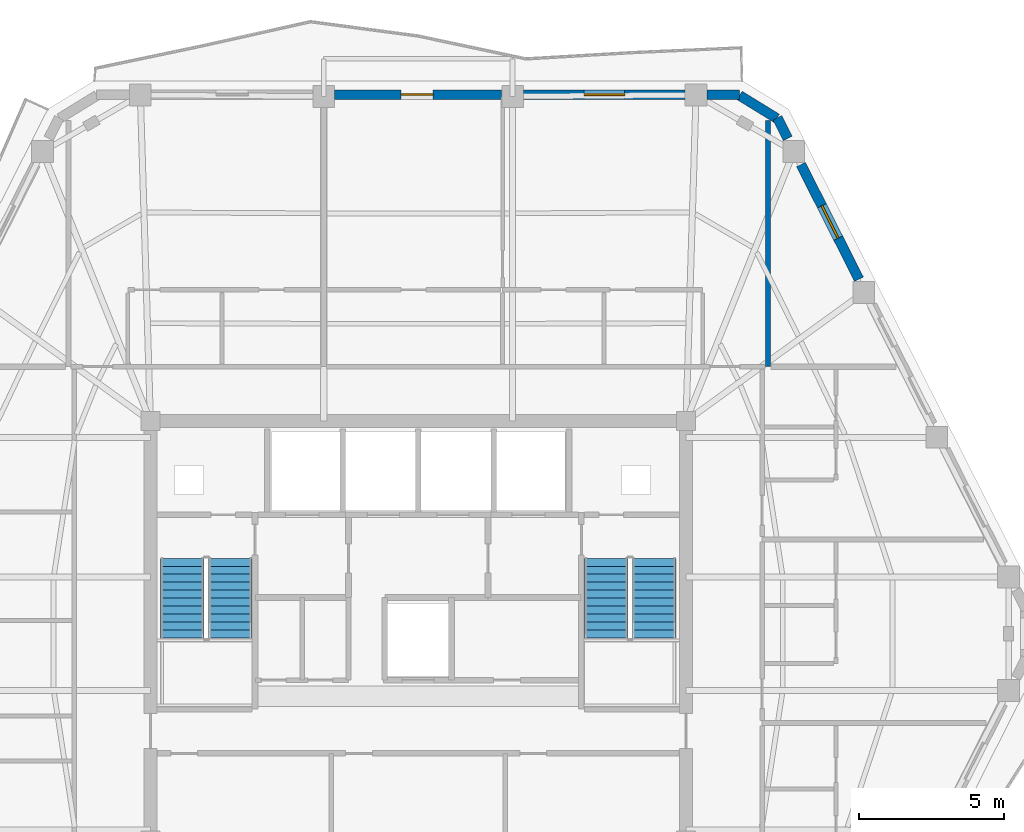
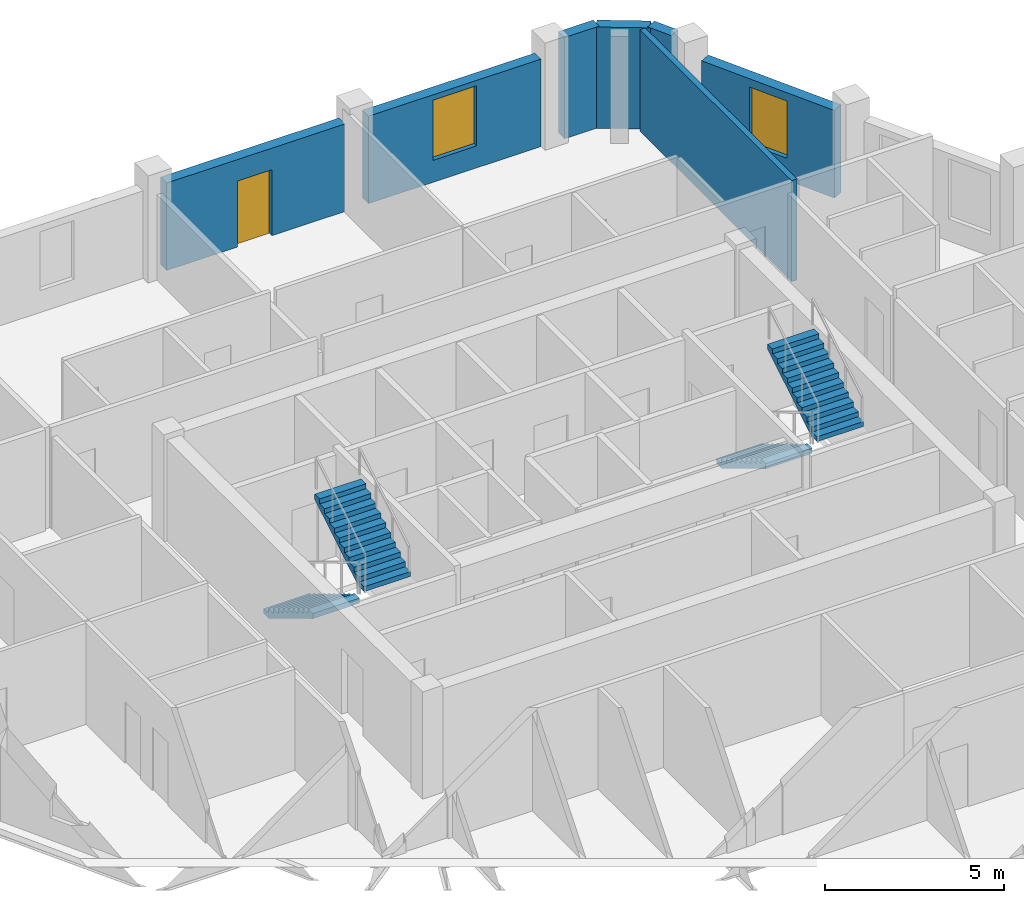
# One storey, part 8 of 11: 7 walls, 4 stair flights, 2 windows, 1 door, 3 openings, 2 elements without a shape of their own.
"""IFC4 building model written with IfcOpenShell, lengths in metres."""

from ifc_helpers import new_model, si_unit, direction, frame, frame_2d, origin, place, context, subcontext, project, spatial, polyline, rectangle, outline, extrude, material, layer, layer_set, type_object, element, fill, aggregate, save


model = new_model("IFC4")

# Units and contexts
model_context = context("Model", 3, precision=1e-05, world=origin(), true_north=direction((0.0, 1.0)))
body_context = subcontext(model_context, "Body", "Model", "MODEL_VIEW")
ifc_project = project(units=[si_unit("LENGTHUNIT", "METRE"), si_unit("AREAUNIT", "SQUARE_METRE"), si_unit("VOLUMEUNIT", "CUBIC_METRE"), si_unit("PLANEANGLEUNIT", "RADIAN"), si_unit("MASSUNIT", "GRAM", prefix="KILO")], contexts=[model_context])

# Site, building, storey
site_placement = place(None, origin())
site = spatial("IfcSite", under=ifc_project, at=site_placement, CompositionType="ELEMENT")
building_placement = place(site_placement, origin())
building = spatial("IfcBuilding", under=site, at=building_placement, Name="Cinnabar Lancet Tower", CompositionType="ELEMENT")
storey_placement = place(building_placement, frame((0.0, 0.0, 252.550048828125)))
storey = spatial("IfcBuildingStorey", under=building, at=storey_placement, Name="L67", CompositionType="ELEMENT", Elevation=252.550048828125)

# Walls
ifc_material_1 = material(Name="Fire-rated twin-frame acoustic drywall", Category="gypsum")
ifc_layer_1 = layer(ifc_material_1, 0.179931640625)
ifc_layer_set_1 = layer_set([ifc_layer_1], Name="Fire-rated twin-frame acoustic drywall")
wall_type_1 = type_object("IfcWallType", Name="ARC-WL-PARTY-180", PredefinedType="PARTITIONING", material=ifc_layer_set_1)
wall_1_placement = place(storey_placement, frame((44.449951171875, 35.0, 0.0), z_axis=(0.0, 0.0, 1.0), x_axis=(0.0, 1.0, 0.0)))
element("IfcWall", 1, at=wall_1_placement, inside=storey, type_object=wall_type_1, Name="PW-L67-NPTY-444", PredefinedType="PARTITIONING", context=body_context, shape_type="SweptSolid", body=[
    extrude(rectangle(XDim=8.48095703125, YDim=0.179931640625, at=frame_2d((4.240478515625, 0.0))), origin(), (0.0, 0.0, 1.0), 3.449951171875),
])
ifc_material_2 = material(Name="Cinnabar red clay brick", Category="masonry")
ifc_layer_2 = layer(ifc_material_2, 0.340087890625)
ifc_layer_set_2 = layer_set([ifc_layer_2], Name="Cinnabar red clay brick")
wall_type_2 = type_object("IfcWallType", Name="ENV-WL-BRK-RED-340", PredefinedType="STANDARD", material=ifc_layer_set_2)
wall_2_placement = place(storey_placement, frame((44.7529296875, 43.554931640625, 0.0), z_axis=(0.0, 0.0, 1.0), x_axis=(-0.851680557619, 0.52406128246, 0.0)))
element("IfcWall", 2, at=wall_2_placement, inside=storey, type_object=wall_type_2, Name="L67 Chamfered Corner Brick Pier 4.1", PredefinedType="STANDARD", context=body_context, shape_type="SweptSolid", body=[
    extrude(rectangle(XDim=1.507568359375, YDim=0.340087890625, at=frame_2d((0.75390625, 0.0))), origin(), (0.0, 0.0, 1.0), 3.449951171875),
])

# Wall, opening, window
wall_3_placement = place(storey_placement, frame((47.5859375, 38.010009765625, 0.0), z_axis=(0.0, 0.0, 1.0), x_axis=(-0.451463046281, 0.89228981718, 0.0)))
wall_3 = element("IfcWall", 3, at=wall_3_placement, inside=storey, type_object=wall_type_2, Name="L67 Face 3 Masonry Bay Wall 4", PredefinedType="STANDARD", context=body_context, shape_type="SweptSolid", body=[
    extrude(rectangle(XDim=4.429931640625, YDim=0.340087890625, at=frame_2d((2.21484375, 0.0))), origin(), (0.0, 0.0, 1.0), 2.98291015625),
])
opening_1_placement = place(wall_3_placement, frame((1.590087890625, 0.0, 0.75)))
opening_1 = element("IfcOpeningElement", 4, at=opening_1_placement, cuts=wall_3, Name="Opening WN-03", PredefinedType="OPENING", context=body_context, shape_type="SweptSolid", body=[
    extrude(rectangle(XDim=1.25, YDim=1.949951171875, at=frame_2d((0.625, 0.97509765625))), frame((0.0, 0.179931640625, 0.0), z_axis=(0.0, -1.0, 0.0), x_axis=(1.0, 0.0, 0.0)), (0.0, 0.0, 1.0), 0.360107421875),
])
ifc_material_3 = material(Name="Thermally broken bronze-anodized aluminium low-E double glazing", Category="aluminium")
window_type_1 = type_object("IfcWindowType", Name="ENV-WN-LANCET-1250", PartitioningType="SINGLE_PANEL", PredefinedType="WINDOW", material=ifc_material_3)
window_1_placement = place(opening_1_placement, origin())
window_1 = element("IfcWindow", 5, at=window_1_placement, inside=storey, type_object=window_type_1, Name="L67 Face 3 Gothic Lancet Window 4", OverallHeight=1.949951171875, OverallWidth=1.25, PartitioningType="SINGLE_PANEL", PredefinedType="WINDOW", context=body_context, shape_type="SweptSolid", body=[
    extrude(rectangle(XDim=1.25, YDim=1.949951171875, at=frame_2d((0.625, 0.97509765625))), frame((0.0, 0.030029296875, 0.0), z_axis=(0.0, -1.0, 0.0), x_axis=(1.0, 0.0, 0.0)), (0.0, 0.0, 1.0), 0.06005859375),
])
fill(opening_1, window_1)

# Walls
wall_4_placement = place(storey_placement, frame((45.1298828125, 42.864990234375, 0.0), z_axis=(0.0, 0.0, 1.0), x_axis=(-0.451159191899, 0.892443490404, 0.0)))
element("IfcWall", 6, at=wall_4_placement, inside=storey, type_object=wall_type_2, Name="L67 Face 3 Masonry Bay Wall 5", PredefinedType="STANDARD", context=body_context, shape_type="SweptSolid", body=[
    extrude(rectangle(XDim=0.791259765625, YDim=0.340087890625, at=frame_2d((0.3955078125, 0.0))), origin(), (0.0, 0.0, 1.0), 3.449951171875),
])
wall_5_placement = place(storey_placement, frame((43.47412109375, 44.3701171875, 0.0), z_axis=(0.0, 0.0, 1.0), x_axis=(-1.0, 0.0, 0.0)))
element("IfcWall", 7, at=wall_5_placement, inside=storey, type_object=wall_type_2, Name="L67 Face 4 Masonry Bay Wall 1", PredefinedType="STANDARD", context=body_context, shape_type="SweptSolid", body=[
    extrude(rectangle(XDim=1.123046875, YDim=0.340087890625, at=frame_2d((0.5615234375, 0.0))), origin(), (0.0, 0.0, 1.0), 3.449951171875),
])

# Wall, opening, window
wall_6_placement = place(storey_placement, frame((41.593017578125, 44.3701171875, 0.0), z_axis=(0.0, 0.0, 1.0), x_axis=(-1.0, 0.0, 0.0)))
wall_6 = element("IfcWall", 8, at=wall_6_placement, inside=storey, type_object=wall_type_2, Name="L67 Face 4 Masonry Bay Wall 2", PredefinedType="STANDARD", context=body_context, shape_type="SweptSolid", body=[
    extrude(rectangle(XDim=5.56005859375, YDim=0.340087890625, at=frame_2d((2.780029296875, 0.0))), origin(), (0.0, 0.0, 1.0), 2.98291015625),
])
opening_2_placement = place(wall_6_placement, frame((2.080078125, 0.0, 0.75)))
opening_2 = element("IfcOpeningElement", 9, at=opening_2_placement, cuts=wall_6, Name="Opening WN-02", PredefinedType="OPENING", context=body_context, shape_type="SweptSolid", body=[
    extrude(rectangle(XDim=1.39990234375, YDim=2.050048828125, at=frame_2d((0.699951171875, 1.02490234375))), frame((0.0, 0.179931640625, 0.0), z_axis=(0.0, -1.0, 0.0), x_axis=(1.0, 0.0, 0.0)), (0.0, 0.0, 1.0), 0.360107421875),
])
ifc_material_4 = material(Name="Thermally broken bronze-anodized aluminium low-E double glazing", Category="aluminium")
window_type_2 = type_object("IfcWindowType", Name="ENV-WN-LANCET-1400", PartitioningType="SINGLE_PANEL", PredefinedType="WINDOW", material=ifc_material_4)
window_2_placement = place(opening_2_placement, origin())
window_2 = element("IfcWindow", 10, at=window_2_placement, inside=storey, type_object=window_type_2, Name="L67 Face 4 Gothic Lancet Window 2", OverallHeight=2.050048828125, OverallWidth=1.39990234375, PartitioningType="SINGLE_PANEL", PredefinedType="WINDOW", context=body_context, shape_type="SweptSolid", body=[
    extrude(rectangle(XDim=1.39990234375, YDim=2.050048828125, at=frame_2d((0.699951171875, 1.02490234375))), frame((0.0, 0.030029296875, 0.0), z_axis=(0.0, -1.0, 0.0), x_axis=(1.0, 0.0, 0.0)), (0.0, 0.0, 1.0), 0.06005859375),
])
fill(opening_2, window_2)

# Wall, opening, door
wall_7_placement = place(storey_placement, frame((35.27490234375, 44.3701171875, 0.0), z_axis=(0.0, 0.0, 1.0), x_axis=(-1.0, 0.0, 0.0)))
wall_7 = element("IfcWall", 11, at=wall_7_placement, inside=storey, type_object=wall_type_2, Name="L67 Face 4 Masonry Bay Wall 3", PredefinedType="STANDARD", context=body_context, shape_type="SweptSolid", body=[
    extrude(rectangle(XDim=5.75, YDim=0.340087890625, at=frame_2d((2.875, 0.0))), origin(), (0.0, 0.0, 1.0), 2.98291015625),
])
opening_3_placement = place(wall_7_placement, frame((2.360107421875, 0.0, 0.0)))
opening_3 = element("IfcOpeningElement", 12, at=opening_3_placement, cuts=wall_7, Name="Opening TD-01", PredefinedType="OPENING", context=body_context, shape_type="SweptSolid", body=[
    extrude(rectangle(XDim=1.10009765625, YDim=2.25, at=frame_2d((0.550048828125, 1.125))), frame((0.0, 0.179931640625, 0.0), z_axis=(0.0, -1.0, 0.0), x_axis=(1.0, 0.0, 0.0)), (0.0, 0.0, 1.0), 0.360107421875),
])
ifc_material_5 = material(Name="Thermally broken low-E glazed balcony terrace door", Category="wood")
door_type = type_object("IfcDoorType", Name="ARC-DR-BALC", OperationType="NOTDEFINED", PredefinedType="DOOR", material=ifc_material_5)
door_placement = place(opening_3_placement, origin())
door = element("IfcDoor", 13, at=door_placement, inside=storey, type_object=door_type, Name="L67 Face 4 Glazed Terrace Door", OperationType="SINGLE_SWING_LEFT", OverallHeight=2.25, OverallWidth=1.10009765625, PredefinedType="DOOR", context=body_context, shape_type="SweptSolid", body=[
    extrude(rectangle(XDim=1.10009765625, YDim=2.25, at=frame_2d((0.550048828125, 1.125))), frame((0.0, 0.02490234375, 0.0), z_axis=(0.0, -1.0, 0.0), x_axis=(1.0, 0.0, 0.0)), (0.0, 0.0, 1.0), 0.050048828125),
])
fill(opening_3, door)

# Stair, stair flights
ifc_material_6 = material(Name="Concrete C40/50", Category="concrete")
stair_type = type_object("IfcStairType", Name="ST-CORE", PredefinedType="HALF_TURN_STAIR", material=ifc_material_6)
stair_1_placement = place(storey_placement, origin())
stair_1 = element("IfcStair", 14, at=stair_1_placement, inside=storey, type_object=stair_type, Name="L67 ST-1", PredefinedType="HALF_TURN_STAIR")
ifc_material_7 = material(Name="Concrete C40/50", Category="concrete")
stair_flight_type = type_object("IfcStairFlightType", Name="FLIGHT-CORE", PredefinedType="STRAIGHT", material=ifc_material_7)
stair_flight_1_placement = place(storey_placement, frame((24.27490234375, 28.39990234375, 0.0), z_axis=(0.0, 0.0, 1.0), x_axis=(0.0, -1.0, 0.0)))
stair_flight_1 = element("IfcStairFlight", 15, at=stair_flight_1_placement, type_object=stair_flight_type, Name="ST-1 flight 1", NumberOfRisers=11, NumberOfTreads=10, PredefinedType="STRAIGHT", RiserHeight=0.165909091, TreadLength=0.275, context=body_context, shape_type="SweptSolid", body=[
    extrude(outline(polyline([(0.0, 0.0), (0.0, 0.166015625), (0.27490234375, 0.166015625), (0.27490234375, 0.331787109375), (0.550048828125, 0.331787109375), (0.550048828125, 0.497802734375), (0.824951171875, 0.497802734375), (0.824951171875, 0.66357421875), (1.10009765625, 0.66357421875), (1.10009765625, 0.82958984375), (1.375, 0.82958984375), (1.375, 0.995361328125), (1.64990234375, 0.995361328125), (1.64990234375, 1.161376953125), (1.925048828125, 1.161376953125), (1.925048828125, 1.327392578125), (2.199951171875, 1.327392578125), (2.199951171875, 1.4931640625), (2.47509765625, 1.4931640625), (2.47509765625, 1.6591796875), (2.75, 1.6591796875), (2.75, 1.824951171875), (2.75, 1.484130859375), (0.290283203125, 0.0), (0.0, 0.0)])), frame((0.0, 0.75, 0.0), z_axis=(0.0, -1.0, 0.0), x_axis=(1.0, 0.0, 0.0)), (0.0, 0.0, 1.0), 1.5),
])
stair_flight_2_placement = place(storey_placement, frame((25.925048828125, 25.64990234375, 1.824951171875), z_axis=(0.0, 0.0, 1.0), x_axis=(0.0, 1.0, 0.0)))
stair_flight_2 = element("IfcStairFlight", 16, at=stair_flight_2_placement, type_object=stair_flight_type, Name="ST-1 flight 2", NumberOfRisers=11, NumberOfTreads=10, PredefinedType="STRAIGHT", RiserHeight=0.165909091, TreadLength=0.275, context=body_context, shape_type="SweptSolid", body=[
    extrude(outline(polyline([(0.0, 0.0), (0.0, 0.166015625), (0.27490234375, 0.166015625), (0.27490234375, 0.331787109375), (0.550048828125, 0.331787109375), (0.550048828125, 0.497802734375), (0.824951171875, 0.497802734375), (0.824951171875, 0.66357421875), (1.10009765625, 0.66357421875), (1.10009765625, 0.82958984375), (1.375, 0.82958984375), (1.375, 0.995361328125), (1.64990234375, 0.995361328125), (1.64990234375, 1.161376953125), (1.925048828125, 1.161376953125), (1.925048828125, 1.327392578125), (2.199951171875, 1.327392578125), (2.199951171875, 1.4931640625), (2.47509765625, 1.4931640625), (2.47509765625, 1.6591796875), (2.75, 1.6591796875), (2.75, 1.824951171875), (2.75, 1.484130859375), (0.290283203125, 0.0), (0.0, 0.0)])), frame((0.0, 0.75, 0.0), z_axis=(0.0, -1.0, 0.0), x_axis=(1.0, 0.0, 0.0)), (0.0, 0.0, 1.0), 1.5),
])
aggregate(stair_1, [stair_flight_1, stair_flight_2])

stair_2_placement = place(storey_placement, origin())
stair_2 = element("IfcStair", 17, at=stair_2_placement, inside=storey, type_object=stair_type, Name="L67 ST-2", PredefinedType="HALF_TURN_STAIR")
stair_flight_3_placement = place(storey_placement, frame((38.875, 28.39990234375, 0.0), z_axis=(0.0, 0.0, 1.0), x_axis=(0.0, -1.0, 0.0)))
stair_flight_3 = element("IfcStairFlight", 18, at=stair_flight_3_placement, type_object=stair_flight_type, Name="ST-2 flight 1", NumberOfRisers=11, NumberOfTreads=10, PredefinedType="STRAIGHT", RiserHeight=0.165909091, TreadLength=0.275, context=body_context, shape_type="SweptSolid", body=[
    extrude(outline(polyline([(0.0, 0.0), (0.0, 0.166015625), (0.27490234375, 0.166015625), (0.27490234375, 0.331787109375), (0.550048828125, 0.331787109375), (0.550048828125, 0.497802734375), (0.824951171875, 0.497802734375), (0.824951171875, 0.66357421875), (1.10009765625, 0.66357421875), (1.10009765625, 0.82958984375), (1.375, 0.82958984375), (1.375, 0.995361328125), (1.64990234375, 0.995361328125), (1.64990234375, 1.161376953125), (1.925048828125, 1.161376953125), (1.925048828125, 1.327392578125), (2.199951171875, 1.327392578125), (2.199951171875, 1.4931640625), (2.47509765625, 1.4931640625), (2.47509765625, 1.6591796875), (2.75, 1.6591796875), (2.75, 1.824951171875), (2.75, 1.484130859375), (0.290283203125, 0.0), (0.0, 0.0)])), frame((0.0, 0.75, 0.0), z_axis=(0.0, -1.0, 0.0), x_axis=(1.0, 0.0, 0.0)), (0.0, 0.0, 1.0), 1.5),
])
stair_flight_4_placement = place(storey_placement, frame((40.52490234375, 25.64990234375, 1.824951171875), z_axis=(0.0, 0.0, 1.0), x_axis=(0.0, 1.0, 0.0)))
stair_flight_4 = element("IfcStairFlight", 19, at=stair_flight_4_placement, type_object=stair_flight_type, Name="ST-2 flight 2", NumberOfRisers=11, NumberOfTreads=10, PredefinedType="STRAIGHT", RiserHeight=0.165909091, TreadLength=0.275, context=body_context, shape_type="SweptSolid", body=[
    extrude(outline(polyline([(0.0, 0.0), (0.0, 0.166015625), (0.27490234375, 0.166015625), (0.27490234375, 0.331787109375), (0.550048828125, 0.331787109375), (0.550048828125, 0.497802734375), (0.824951171875, 0.497802734375), (0.824951171875, 0.66357421875), (1.10009765625, 0.66357421875), (1.10009765625, 0.82958984375), (1.375, 0.82958984375), (1.375, 0.995361328125), (1.64990234375, 0.995361328125), (1.64990234375, 1.161376953125), (1.925048828125, 1.161376953125), (1.925048828125, 1.327392578125), (2.199951171875, 1.327392578125), (2.199951171875, 1.4931640625), (2.47509765625, 1.4931640625), (2.47509765625, 1.6591796875), (2.75, 1.6591796875), (2.75, 1.824951171875), (2.75, 1.484130859375), (0.290283203125, 0.0), (0.0, 0.0)])), frame((0.0, 0.75, 0.0), z_axis=(0.0, -1.0, 0.0), x_axis=(1.0, 0.0, 0.0)), (0.0, 0.0, 1.0), 1.5),
])
aggregate(stair_2, [stair_flight_3, stair_flight_4])

save(model, "model.ifc")
